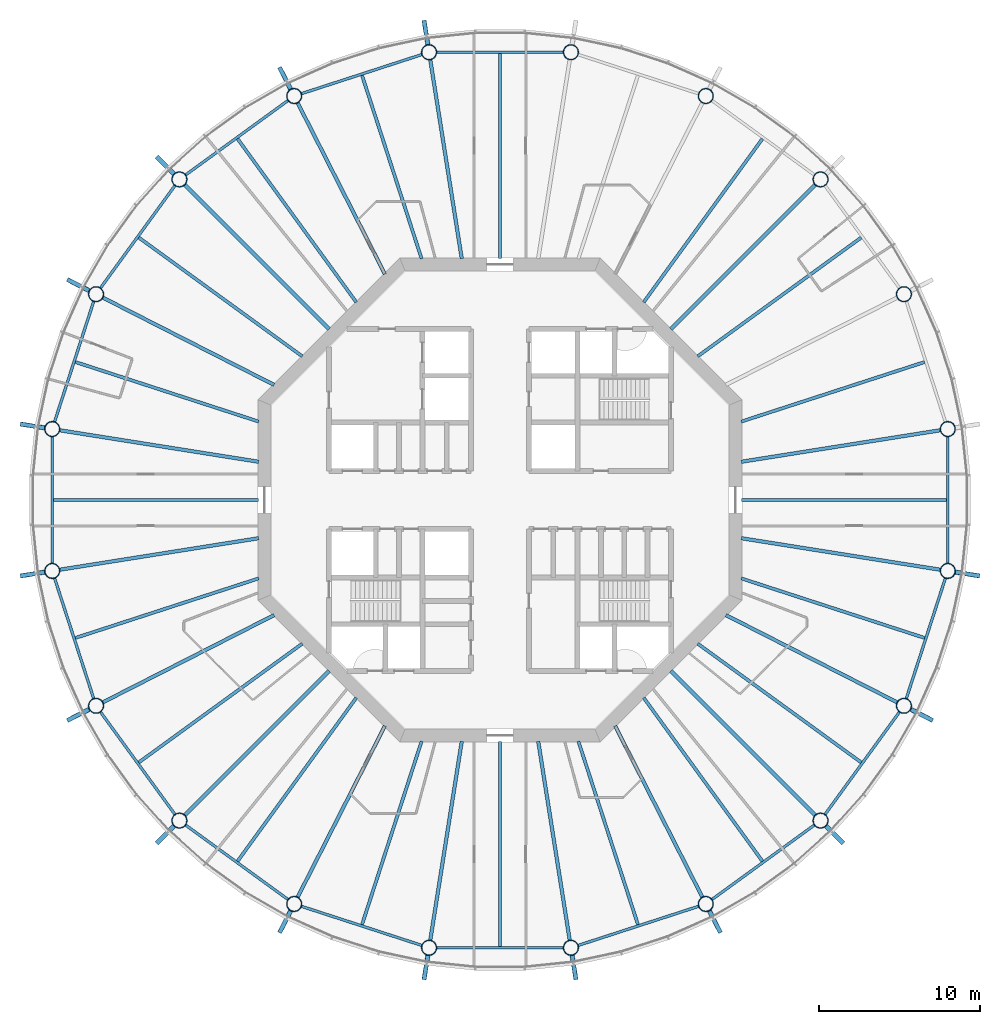
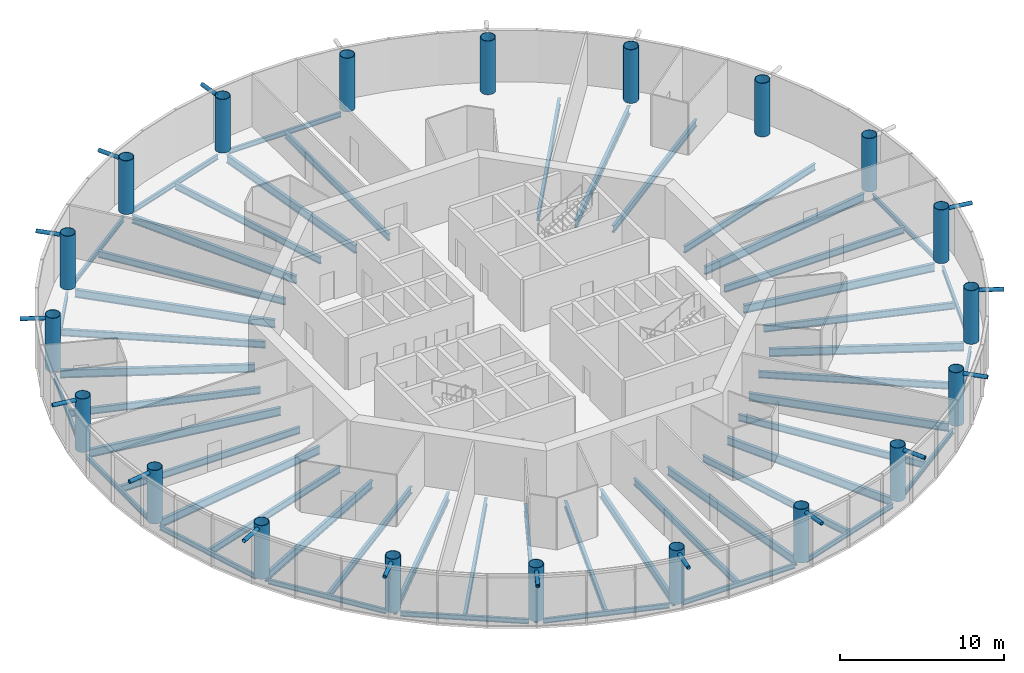
# One storey, part 1 of 13: 52 beams, 20 columns, 15 members.
"""IFC4 building model written with IfcOpenShell, lengths in metres."""

from ifc_helpers import new_model, si_unit, direction, frame, origin, origin_2d, place, context, subcontext, project, spatial, circle, hollow_circle, i_section, extrude, material, material_profile, profile_set, type_object, element, save


model = new_model("IFC4")

# Units and contexts
model_context = context("Model", 3, precision=1e-05, world=origin(), true_north=direction((0.0, 1.0)))
body_context = subcontext(model_context, "Body", "Model", "MODEL_VIEW")
ifc_project = project(units=[si_unit("LENGTHUNIT", "METRE"), si_unit("AREAUNIT", "SQUARE_METRE"), si_unit("VOLUMEUNIT", "CUBIC_METRE"), si_unit("PLANEANGLEUNIT", "RADIAN"), si_unit("MASSUNIT", "GRAM", prefix="KILO")], contexts=[model_context])

# Site, building, storey
site_placement = place(None, origin())
site = spatial("IfcSite", under=ifc_project, at=site_placement, CompositionType="ELEMENT")
building_placement = place(site_placement, origin())
building = spatial("IfcBuilding", under=site, at=building_placement, Name="Entoto Ring Tower", CompositionType="ELEMENT")
storey_placement = place(building_placement, frame((0.0, 0.0, 290.0)))
storey = spatial("IfcBuildingStorey", under=building, at=storey_placement, Name="L66", CompositionType="ELEMENT", Elevation=290.0)

# Columns
ifc_material_1 = material(Name="Steel S355", Category="steel")
ifc_material_profile_1 = material_profile(ifc_material_1, hollow_circle(Radius=0.47509765625, WallThickness=0.034912109375, at=origin_2d()), Name="CHS 950 x 35")
ifc_material_2 = material(Name="Concrete C60/75", Category="concrete")
ifc_material_profile_2 = material_profile(ifc_material_2, circle(Radius=0.43994140625, at=origin_2d()), Name="Concrete C60/75 infill")
ifc_profile_set_1 = profile_set([ifc_material_profile_1, ifc_material_profile_2], Name="Steel S355")
column_type = type_object("IfcColumnType", Name="Ring column 950 x 35 concrete-filled tube", PredefinedType="COLUMN", material=ifc_profile_set_1)
for number, where, z_axis, x_axis, name in (
    (1, (117.754150390625, 84.395751953125, 0.0), (0.0, 0.0, 1.0), (1.0, 0.0, 0.0), "RC5 R01"),
    (2, (115.037353515625, 92.757080078125, 0.0), (0.0, 0.0, 1.0), (1.0, 0.0, 0.0), "RC5 R02"),
    (3, (109.86962890625, 99.86962890625, 0.0), (0.0, 0.0, 1.0), (1.0, 0.0, 0.0), "RC5 R03"),
    (4, (102.757080078125, 105.037353515625, 0.0), (0.0, 0.0, 1.0), (1.0, 0.0, 0.0), "RC5 R04"),
    (5, (94.395751953125, 107.754150390625, 0.0), (0.0, 0.0, 1.0), (1.0, 0.0, 0.0), "RC5 R05"),
    (6, (85.604248046875, 107.754150390625, 0.0), (0.0, 0.0, 1.0), (1.0, 0.0, 0.0), "RC5 R06"),
    (7, (77.242919921875, 105.037353515625, 0.0), (0.0, 0.0, 1.0), (1.0, 0.0, 0.0), "RC5 R07"),
    (8, (70.13037109375, 99.86962890625, 0.0), (0.0, 0.0, 1.0), (1.0, 0.0, 0.0), "RC5 R08"),
    (9, (64.962646484375, 92.757080078125, 0.0), (0.0, 0.0, 1.0), (1.0, 0.0, 0.0), "RC5 R09"),
    (10, (62.245849609375, 84.395751953125, 0.0), (0.0, 0.0, 1.0), (1.0, 0.0, 0.0), "RC5 R10"),
    (11, (62.245849609375, 75.604248046875, 0.0), (0.0, 0.0, 1.0), (1.0, 0.0, 0.0), "RC5 R11"),
    (12, (64.962646484375, 67.242919921875, 0.0), (0.0, 0.0, 1.0), (1.0, 0.0, 0.0), "RC5 R12"),
    (13, (70.13037109375, 60.13037109375, 0.0), (0.0, 0.0, 1.0), (1.0, 0.0, 0.0), "RC5 R13"),
    (14, (77.242919921875, 54.962646484375, 0.0), (0.0, 0.0, 1.0), (1.0, 0.0, 0.0), "RC5 R14"),
    (15, (85.604248046875, 52.245849609375, 0.0), (0.0, 0.0, 1.0), (1.0, 0.0, 0.0), "RC5 R15"),
    (16, (94.395751953125, 52.245849609375, 0.0), (0.0, 0.0, 1.0), (1.0, 0.0, 0.0), "RC5 R16"),
    (17, (102.757080078125, 54.962646484375, 0.0), (0.0, 0.0, 1.0), (1.0, 0.0, 0.0), "RC5 R17"),
    (18, (109.86962890625, 60.13037109375, 0.0), (0.0, 0.0, 1.0), (1.0, 0.0, 0.0), "RC5 R18"),
    (19, (115.037353515625, 67.242919921875, 0.0), (0.0, 0.0, 1.0), (1.0, 0.0, 0.0), "RC5 R19"),
    (20, (117.754150390625, 75.604248046875, 0.0), (0.0, 0.0, 1.0), (1.0, 0.0, 0.0), "RC5 R20"),
):
    element("IfcColumn", number, at=place(storey_placement, frame(where, z_axis=z_axis, x_axis=x_axis)), inside=storey, type_object=column_type, Name=name, PredefinedType="COLUMN", context=body_context, shape_type="SweptSolid", body=[
        extrude(hollow_circle(Radius=0.47509765625, WallThickness=0.034912109375, at=origin_2d()), origin(), (0.0, 0.0, 1.0), 4.0),
    ])

# Members
ifc_material_3 = material(Name="Steel S355", Category="steel")
ifc_material_profile_3 = material_profile(ifc_material_3, hollow_circle(Radius=0.136474609375, WallThickness=0.012451171875, at=origin_2d()), Name="CHS 273 x 12.5")
ifc_material_4 = material(Name="Concrete C60/75", Category="concrete")
ifc_material_profile_4 = material_profile(ifc_material_4, circle(Radius=0.1240234375, at=origin_2d()), Name="Concrete C60/75 infill")
ifc_profile_set_2 = profile_set([ifc_material_profile_3, ifc_material_profile_4], Name="Steel S355")
member_type = type_object("IfcMemberType", Name="Diagrid node strut 273 x 12.5", PredefinedType="STRUT", material=ifc_profile_set_2)
for number, where, z_axis, x_axis, name in (
    (21, (85.5361328125, 108.18359375, 3.71337890625), (-0.156451161263, 0.987685696029, 0.0), (-0.987685696029, -0.156451161263, 0.0), "DS2 strut ring 22 06"),
    (22, (77.04541015625, 105.4248046875, 3.71337890625), (-0.45393980222, 0.891032354048, 0.0), (-0.891032354048, -0.45393980222, 0.0), "DS2 strut ring 22 07"),
    (23, (69.82275390625, 100.17724609375, 3.71337890625), (-0.707106781187, 0.707106781187, 0.0), (-0.707106781187, -0.707106781187, 0.0), "DS2 strut ring 22 08"),
    (24, (64.5751953125, 92.95458984375, 3.71337890625), (-0.891032354048, 0.45393980222, 0.0), (-0.45393980222, -0.891032354048, 0.0), "DS2 strut ring 22 09"),
    (25, (61.81640625, 84.4638671875, 3.71337890625), (-0.987685696029, 0.156451161263, 0.0), (-0.156451161263, -0.987685696029, 0.0), "DS2 strut ring 22 10"),
    (26, (61.81640625, 75.5361328125, 3.71337890625), (-0.987685696029, -0.156451161263, 0.0), (0.156451161263, -0.987685696029, 0.0), "DS2 strut ring 22 11"),
    (27, (64.5751953125, 67.04541015625, 3.71337890625), (-0.891032354048, -0.45393980222, 0.0), (0.45393980222, -0.891032354048, 0.0), "DS2 strut ring 22 12"),
    (28, (69.82275390625, 59.82275390625, 3.71337890625), (-0.707106781187, -0.707106781187, 0.0), (0.707106781187, -0.707106781187, 0.0), "DS2 strut ring 22 13"),
    (29, (77.04541015625, 54.5751953125, 3.71337890625), (-0.45393980222, -0.891032354048, 0.0), (0.891032354048, -0.45393980222, 0.0), "DS2 strut ring 22 14"),
    (30, (85.5361328125, 51.81640625, 3.71337890625), (-0.156451161263, -0.987685696029, 0.0), (0.987685696029, -0.156451161263, 0.0), "DS2 strut ring 22 15"),
    (31, (94.4638671875, 51.81640625, 3.71337890625), (0.156451161263, -0.987685696029, 0.0), (0.987685696029, 0.156451161263, 0.0), "DS2 strut ring 22 16"),
    (32, (102.95458984375, 54.5751953125, 3.71337890625), (0.45393980222, -0.891032354048, 0.0), (0.891032354048, 0.45393980222, 0.0), "DS2 strut ring 22 17"),
    (33, (110.17724609375, 59.82275390625, 3.71337890625), (0.707106781187, -0.707106781187, 0.0), (0.707106781187, 0.707106781187, 0.0), "DS2 strut ring 22 18"),
    (34, (115.4248046875, 67.04541015625, 3.71337890625), (0.891032354048, -0.45393980222, 0.0), (0.45393980222, 0.891032354048, 0.0), "DS2 strut ring 22 19"),
    (35, (118.18359375, 75.5361328125, 3.71337890625), (0.987685696029, -0.156451161263, 0.0), (0.156451161263, 0.987685696029, 0.0), "DS2 strut ring 22 20"),
):
    element("IfcMember", number, at=place(storey_placement, frame(where, z_axis=z_axis, x_axis=x_axis)), inside=storey, type_object=member_type, Name=name, PredefinedType="STRUT", context=body_context, shape_type="SweptSolid", body=[
        extrude(hollow_circle(Radius=0.136474609375, WallThickness=0.012451171875, at=origin_2d()), origin(), (0.0, 0.0, 1.0), 1.565185546875),
    ])

# Beams
ifc_material_5 = material(Name="Steel S355", Category="steel")
ifc_material_profile_5 = material_profile(ifc_material_5, i_section(OverallWidth=0.169921875, OverallDepth=0.360107421875, WebThickness=0.008056640625, FlangeThickness=0.0126953125, FilletRadius=0.01806640625, at=origin_2d()), Name="IPE 360")
ifc_profile_set_3 = profile_set([ifc_material_profile_5], Name="Steel S355")
beam_type_1 = type_object("IfcBeamType", Name="Edge beam IPE 360", PredefinedType="SPANDREL", material=ifc_profile_set_3)
for number, where, z_axis, x_axis, name in (
    (36, (93.948486328125, 107.754150390625, -0.330078125), (-1.0, 0.0, 0.0), (0.0, -1.0, 0.0), "Edge beam L66 05"),
    (37, (85.1787109375, 107.61572265625, -0.330078125), (-0.951061101079, -0.309002883506, 0.0), (0.309002883506, -0.951061101079, 0.0), "Edge beam L66 06"),
):
    element("IfcBeam", number, at=place(storey_placement, frame(where, z_axis=z_axis, x_axis=x_axis)), inside=storey, type_object=beam_type_1, Name=name, PredefinedType="SPANDREL", context=body_context, shape_type="SweptSolid", body=[
        extrude(i_section(OverallWidth=0.169921875, OverallDepth=0.360107421875, WebThickness=0.008056640625, FlangeThickness=0.0126953125, FilletRadius=0.01806640625, at=origin_2d()), origin(), (0.0, 0.0, 1.0), 7.89697265625),
    ])
for number, where, z_axis, x_axis, name in (
    (38, (76.881103515625, 104.7744140625, -0.330078125), (-0.809015398073, -0.587787449408, 0.0), (0.587787449408, -0.809015398073, 0.0), "Edge beam L66 07"),
    (39, (69.867431640625, 99.5078125, -0.330078125), (-0.587787449408, -0.809015398073, 0.0), (0.809015398073, -0.587787449408, 0.0), "Edge beam L66 08"),
):
    element("IfcBeam", number, at=place(storey_placement, frame(where, z_axis=z_axis, x_axis=x_axis)), inside=storey, type_object=beam_type_1, Name=name, PredefinedType="SPANDREL", context=body_context, shape_type="SweptSolid", body=[
        extrude(i_section(OverallWidth=0.169921875, OverallDepth=0.360107421875, WebThickness=0.008056640625, FlangeThickness=0.0126953125, FilletRadius=0.01806640625, at=origin_2d()), origin(), (0.0, 0.0, 1.0), 7.897216796875),
    ])
for number, where, z_axis, x_axis, name in (
    (40, (64.824462890625, 92.331787109375, -0.330078125), (-0.309002883506, -0.951061101079, 0.0), (0.951061101079, -0.309002883506, 0.0), "Edge beam L66 09"),
    (41, (62.245849609375, 83.948486328125, -0.330078125), (0.0, -1.0, 0.0), (1.0, 0.0, 0.0), "Edge beam L66 10"),
    (42, (62.38427734375, 75.1787109375, -0.330078125), (0.309002883506, -0.951061101079, 0.0), (0.951061101079, 0.309002883506, 0.0), "Edge beam L66 11"),
):
    element("IfcBeam", number, at=place(storey_placement, frame(where, z_axis=z_axis, x_axis=x_axis)), inside=storey, type_object=beam_type_1, Name=name, PredefinedType="SPANDREL", context=body_context, shape_type="SweptSolid", body=[
        extrude(i_section(OverallWidth=0.169921875, OverallDepth=0.360107421875, WebThickness=0.008056640625, FlangeThickness=0.0126953125, FilletRadius=0.01806640625, at=origin_2d()), origin(), (0.0, 0.0, 1.0), 7.89697265625),
    ])
for number, where, z_axis, x_axis, name in (
    (43, (65.2255859375, 66.881103515625, -0.330078125), (0.587787449408, -0.809015398073, 0.0), (0.809015398073, 0.587787449408, 0.0), "Edge beam L66 12"),
    (44, (70.4921875, 59.867431640625, -0.330078125), (0.809015398073, -0.587787449408, 0.0), (0.587787449408, 0.809015398073, 0.0), "Edge beam L66 13"),
):
    element("IfcBeam", number, at=place(storey_placement, frame(where, z_axis=z_axis, x_axis=x_axis)), inside=storey, type_object=beam_type_1, Name=name, PredefinedType="SPANDREL", context=body_context, shape_type="SweptSolid", body=[
        extrude(i_section(OverallWidth=0.169921875, OverallDepth=0.360107421875, WebThickness=0.008056640625, FlangeThickness=0.0126953125, FilletRadius=0.01806640625, at=origin_2d()), origin(), (0.0, 0.0, 1.0), 7.897216796875),
    ])
for number, where, z_axis, x_axis, name in (
    (45, (77.668212890625, 54.824462890625, -0.330078125), (0.951061101079, -0.309002883506, 0.0), (0.309002883506, 0.951061101079, 0.0), "Edge beam L66 14"),
    (46, (86.051513671875, 52.245849609375, -0.330078125), (1.0, 0.0, 0.0), (0.0, 1.0, 0.0), "Edge beam L66 15"),
    (47, (94.8212890625, 52.38427734375, -0.330078125), (0.951061101079, 0.309002883506, 0.0), (-0.309002883506, 0.951061101079, 0.0), "Edge beam L66 16"),
):
    element("IfcBeam", number, at=place(storey_placement, frame(where, z_axis=z_axis, x_axis=x_axis)), inside=storey, type_object=beam_type_1, Name=name, PredefinedType="SPANDREL", context=body_context, shape_type="SweptSolid", body=[
        extrude(i_section(OverallWidth=0.169921875, OverallDepth=0.360107421875, WebThickness=0.008056640625, FlangeThickness=0.0126953125, FilletRadius=0.01806640625, at=origin_2d()), origin(), (0.0, 0.0, 1.0), 7.89697265625),
    ])
for number, where, z_axis, x_axis, name in (
    (48, (103.118896484375, 55.2255859375, -0.330078125), (0.809015398073, 0.587787449408, 0.0), (-0.587787449408, 0.809015398073, 0.0), "Edge beam L66 17"),
    (49, (110.132568359375, 60.4921875, -0.330078125), (0.587787449408, 0.809015398073, 0.0), (-0.809015398073, 0.587787449408, 0.0), "Edge beam L66 18"),
):
    element("IfcBeam", number, at=place(storey_placement, frame(where, z_axis=z_axis, x_axis=x_axis)), inside=storey, type_object=beam_type_1, Name=name, PredefinedType="SPANDREL", context=body_context, shape_type="SweptSolid", body=[
        extrude(i_section(OverallWidth=0.169921875, OverallDepth=0.360107421875, WebThickness=0.008056640625, FlangeThickness=0.0126953125, FilletRadius=0.01806640625, at=origin_2d()), origin(), (0.0, 0.0, 1.0), 7.897216796875),
    ])
for number, where, z_axis, x_axis, name in (
    (50, (115.175537109375, 67.668212890625, -0.330078125), (0.309002883506, 0.951061101079, 0.0), (-0.951061101079, 0.309002883506, 0.0), "Edge beam L66 19"),
    (51, (117.754150390625, 76.051513671875, -0.330078125), (0.0, 1.0, 0.0), (-1.0, 0.0, 0.0), "Edge beam L66 20"),
):
    element("IfcBeam", number, at=place(storey_placement, frame(where, z_axis=z_axis, x_axis=x_axis)), inside=storey, type_object=beam_type_1, Name=name, PredefinedType="SPANDREL", context=body_context, shape_type="SweptSolid", body=[
        extrude(i_section(OverallWidth=0.169921875, OverallDepth=0.360107421875, WebThickness=0.008056640625, FlangeThickness=0.0126953125, FilletRadius=0.01806640625, at=origin_2d()), origin(), (0.0, 0.0, 1.0), 7.89697265625),
    ])
ifc_material_6 = material(Name="Steel S355", Category="steel")
ifc_material_profile_6 = material_profile(ifc_material_6, i_section(OverallWidth=0.219970703125, OverallDepth=0.60009765625, WebThickness=0.011962890625, FlangeThickness=0.01904296875, FilletRadius=0.02392578125, at=origin_2d()), Name="IPE 600")
ifc_profile_set_4 = profile_set([ifc_material_profile_6], Name="Steel S355")
beam_type_2 = type_object("IfcBeamType", Name="Primary floor beam IPE 600", PredefinedType="BEAM", material=ifc_profile_set_4)
beam_1_placement = place(storey_placement, frame((104.963134765625, 82.369873046875, -0.449951171875), z_axis=(0.987687519796, 0.156439647277, 0.0), x_axis=(-0.156439647277, 0.987687519796, 0.0)))
element("IfcBeam", 52, at=beam_1_placement, inside=storey, type_object=beam_type_2, Name="Primary L66 R01", PredefinedType="BEAM", context=body_context, shape_type="SweptSolid", body=[
    extrude(i_section(OverallWidth=0.219970703125, OverallDepth=0.60009765625, WebThickness=0.011962890625, FlangeThickness=0.01904296875, FilletRadius=0.02392578125, at=origin_2d()), origin(), (0.0, 0.0, 1.0), 12.50830078125),
])
beam_2_placement = place(storey_placement, frame((100.592529296875, 90.592529296875, -0.449951171875), z_axis=(0.707106781187, 0.707106781187, 0.0), x_axis=(-0.707106781187, 0.707106781187, 0.0)))
element("IfcBeam", 53, at=beam_2_placement, inside=storey, type_object=beam_type_2, Name="Primary L66 R03", PredefinedType="BEAM", context=body_context, shape_type="SweptSolid", body=[
    extrude(i_section(OverallWidth=0.219970703125, OverallDepth=0.60009765625, WebThickness=0.011962890625, FlangeThickness=0.01904296875, FilletRadius=0.02392578125, at=origin_2d()), origin(), (0.0, 0.0, 1.0), 12.677978515625),
])
beam_3_placement = place(storey_placement, frame((87.630126953125, 94.963134765625, -0.449951171875), z_axis=(-0.156439647277, 0.987687519796, 0.0), x_axis=(-0.987687519796, -0.156439647277, 0.0)))
element("IfcBeam", 54, at=beam_3_placement, inside=storey, type_object=beam_type_2, Name="Primary L66 R06", PredefinedType="BEAM", context=body_context, shape_type="SweptSolid", body=[
    extrude(i_section(OverallWidth=0.219970703125, OverallDepth=0.60009765625, WebThickness=0.011962890625, FlangeThickness=0.01904296875, FilletRadius=0.02392578125, at=origin_2d()), origin(), (0.0, 0.0, 1.0), 12.50830078125),
])
beam_4_placement = place(storey_placement, frame((82.864990234375, 94.003173828125, -0.449951171875), z_axis=(-0.453988257638, 0.891007666593, 0.0), x_axis=(-0.891007666593, -0.453988257638, 0.0)))
element("IfcBeam", 55, at=beam_4_placement, inside=storey, type_object=beam_type_2, Name="Primary L66 R07", PredefinedType="BEAM", context=body_context, shape_type="SweptSolid", body=[
    extrude(i_section(OverallWidth=0.219970703125, OverallDepth=0.60009765625, WebThickness=0.011962890625, FlangeThickness=0.01904296875, FilletRadius=0.02392578125, at=origin_2d()), origin(), (0.0, 0.0, 1.0), 11.941650390625),
])
beam_5_placement = place(storey_placement, frame((79.407470703125, 90.592529296875, -0.449951171875), z_axis=(-0.707106781187, 0.707106781187, 0.0), x_axis=(-0.707106781187, -0.707106781187, 0.0)))
element("IfcBeam", 56, at=beam_5_placement, inside=storey, type_object=beam_type_2, Name="Primary L66 R08", PredefinedType="BEAM", context=body_context, shape_type="SweptSolid", body=[
    extrude(i_section(OverallWidth=0.219970703125, OverallDepth=0.60009765625, WebThickness=0.011962890625, FlangeThickness=0.01904296875, FilletRadius=0.02392578125, at=origin_2d()), origin(), (0.0, 0.0, 1.0), 12.677978515625),
])
beam_6_placement = place(storey_placement, frame((75.996826171875, 87.135009765625, -0.449951171875), z_axis=(-0.891007666593, 0.453988257638, 0.0), x_axis=(-0.453988257638, -0.891007666593, 0.0)))
element("IfcBeam", 57, at=beam_6_placement, inside=storey, type_object=beam_type_2, Name="Primary L66 R09", PredefinedType="BEAM", context=body_context, shape_type="SweptSolid", body=[
    extrude(i_section(OverallWidth=0.219970703125, OverallDepth=0.60009765625, WebThickness=0.011962890625, FlangeThickness=0.01904296875, FilletRadius=0.02392578125, at=origin_2d()), origin(), (0.0, 0.0, 1.0), 11.941650390625),
])
for number, where, z_axis, x_axis, name in (
    (58, (75.036865234375, 82.369873046875, -0.449951171875), (-0.987687519796, 0.156439647277, 0.0), (-0.156439647277, -0.987687519796, 0.0), "Primary L66 R10"),
    (59, (75.036865234375, 77.630126953125, -0.449951171875), (-0.987687519796, -0.156439647277, 0.0), (0.156439647277, -0.987687519796, 0.0), "Primary L66 R11"),
):
    element("IfcBeam", number, at=place(storey_placement, frame(where, z_axis=z_axis, x_axis=x_axis)), inside=storey, type_object=beam_type_2, Name=name, PredefinedType="BEAM", context=body_context, shape_type="SweptSolid", body=[
        extrude(i_section(OverallWidth=0.219970703125, OverallDepth=0.60009765625, WebThickness=0.011962890625, FlangeThickness=0.01904296875, FilletRadius=0.02392578125, at=origin_2d()), origin(), (0.0, 0.0, 1.0), 12.50830078125),
    ])
beam_7_placement = place(storey_placement, frame((75.996826171875, 72.864990234375, -0.449951171875), z_axis=(-0.891007666593, -0.453988257638, 0.0), x_axis=(0.453988257638, -0.891007666593, 0.0)))
element("IfcBeam", 60, at=beam_7_placement, inside=storey, type_object=beam_type_2, Name="Primary L66 R12", PredefinedType="BEAM", context=body_context, shape_type="SweptSolid", body=[
    extrude(i_section(OverallWidth=0.219970703125, OverallDepth=0.60009765625, WebThickness=0.011962890625, FlangeThickness=0.01904296875, FilletRadius=0.02392578125, at=origin_2d()), origin(), (0.0, 0.0, 1.0), 11.941650390625),
])
beam_8_placement = place(storey_placement, frame((79.407470703125, 69.407470703125, -0.449951171875), z_axis=(-0.707106781187, -0.707106781187, 0.0), x_axis=(0.707106781187, -0.707106781187, 0.0)))
element("IfcBeam", 61, at=beam_8_placement, inside=storey, type_object=beam_type_2, Name="Primary L66 R13", PredefinedType="BEAM", context=body_context, shape_type="SweptSolid", body=[
    extrude(i_section(OverallWidth=0.219970703125, OverallDepth=0.60009765625, WebThickness=0.011962890625, FlangeThickness=0.01904296875, FilletRadius=0.02392578125, at=origin_2d()), origin(), (0.0, 0.0, 1.0), 12.677978515625),
])
beam_9_placement = place(storey_placement, frame((82.864990234375, 65.996826171875, -0.449951171875), z_axis=(-0.453988257638, -0.891007666593, 0.0), x_axis=(0.891007666593, -0.453988257638, 0.0)))
element("IfcBeam", 62, at=beam_9_placement, inside=storey, type_object=beam_type_2, Name="Primary L66 R14", PredefinedType="BEAM", context=body_context, shape_type="SweptSolid", body=[
    extrude(i_section(OverallWidth=0.219970703125, OverallDepth=0.60009765625, WebThickness=0.011962890625, FlangeThickness=0.01904296875, FilletRadius=0.02392578125, at=origin_2d()), origin(), (0.0, 0.0, 1.0), 11.941650390625),
])
for number, where, z_axis, x_axis, name in (
    (63, (87.630126953125, 65.036865234375, -0.449951171875), (-0.156439647277, -0.987687519796, 0.0), (0.987687519796, -0.156439647277, 0.0), "Primary L66 R15"),
    (64, (92.369873046875, 65.036865234375, -0.449951171875), (0.156439647277, -0.987687519796, 0.0), (0.987687519796, 0.156439647277, 0.0), "Primary L66 R16"),
):
    element("IfcBeam", number, at=place(storey_placement, frame(where, z_axis=z_axis, x_axis=x_axis)), inside=storey, type_object=beam_type_2, Name=name, PredefinedType="BEAM", context=body_context, shape_type="SweptSolid", body=[
        extrude(i_section(OverallWidth=0.219970703125, OverallDepth=0.60009765625, WebThickness=0.011962890625, FlangeThickness=0.01904296875, FilletRadius=0.02392578125, at=origin_2d()), origin(), (0.0, 0.0, 1.0), 12.50830078125),
    ])
beam_10_placement = place(storey_placement, frame((97.135009765625, 65.996826171875, -0.449951171875), z_axis=(0.453988257638, -0.891007666593, 0.0), x_axis=(0.891007666593, 0.453988257638, 0.0)))
element("IfcBeam", 65, at=beam_10_placement, inside=storey, type_object=beam_type_2, Name="Primary L66 R17", PredefinedType="BEAM", context=body_context, shape_type="SweptSolid", body=[
    extrude(i_section(OverallWidth=0.219970703125, OverallDepth=0.60009765625, WebThickness=0.011962890625, FlangeThickness=0.01904296875, FilletRadius=0.02392578125, at=origin_2d()), origin(), (0.0, 0.0, 1.0), 11.941650390625),
])
beam_11_placement = place(storey_placement, frame((100.592529296875, 69.407470703125, -0.449951171875), z_axis=(0.707106781187, -0.707106781187, 0.0), x_axis=(0.707106781187, 0.707106781187, 0.0)))
element("IfcBeam", 66, at=beam_11_placement, inside=storey, type_object=beam_type_2, Name="Primary L66 R18", PredefinedType="BEAM", context=body_context, shape_type="SweptSolid", body=[
    extrude(i_section(OverallWidth=0.219970703125, OverallDepth=0.60009765625, WebThickness=0.011962890625, FlangeThickness=0.01904296875, FilletRadius=0.02392578125, at=origin_2d()), origin(), (0.0, 0.0, 1.0), 12.677978515625),
])
beam_12_placement = place(storey_placement, frame((104.003173828125, 72.864990234375, -0.449951171875), z_axis=(0.891007666593, -0.453988257638, 0.0), x_axis=(0.453988257638, 0.891007666593, 0.0)))
element("IfcBeam", 67, at=beam_12_placement, inside=storey, type_object=beam_type_2, Name="Primary L66 R19", PredefinedType="BEAM", context=body_context, shape_type="SweptSolid", body=[
    extrude(i_section(OverallWidth=0.219970703125, OverallDepth=0.60009765625, WebThickness=0.011962890625, FlangeThickness=0.01904296875, FilletRadius=0.02392578125, at=origin_2d()), origin(), (0.0, 0.0, 1.0), 11.941650390625),
])
beam_13_placement = place(storey_placement, frame((104.963134765625, 77.630126953125, -0.449951171875), z_axis=(0.987687519796, -0.156439647277, 0.0), x_axis=(0.156439647277, 0.987687519796, 0.0)))
element("IfcBeam", 68, at=beam_13_placement, inside=storey, type_object=beam_type_2, Name="Primary L66 R20", PredefinedType="BEAM", context=body_context, shape_type="SweptSolid", body=[
    extrude(i_section(OverallWidth=0.219970703125, OverallDepth=0.60009765625, WebThickness=0.011962890625, FlangeThickness=0.01904296875, FilletRadius=0.02392578125, at=origin_2d()), origin(), (0.0, 0.0, 1.0), 12.50830078125),
])
ifc_material_7 = material(Name="Steel S355", Category="steel")
ifc_material_profile_7 = material_profile(ifc_material_7, i_section(OverallWidth=0.199951171875, OverallDepth=0.5, WebThickness=0.01025390625, FlangeThickness=0.01611328125, FilletRadius=0.02099609375, at=origin_2d()), Name="IPE 500")
ifc_profile_set_5 = profile_set([ifc_material_profile_7], Name="Steel S355")
beam_type_3 = type_object("IfcBeamType", Name="Secondary floor beam IPE 500", PredefinedType="JOIST", material=ifc_profile_set_5)
beam_14_placement = place(storey_placement, frame((104.9501953125, 84.857666015625, -0.39990234375), z_axis=(0.951056587506, 0.30901677521, 0.0), x_axis=(-0.30901677521, 0.951056587506, 0.0)))
element("IfcBeam", 69, at=beam_14_placement, inside=storey, type_object=beam_type_3, Name="Secondary beam L66 01", PredefinedType="JOIST", context=body_context, shape_type="SweptSolid", body=[
    extrude(i_section(OverallWidth=0.199951171875, OverallDepth=0.5, WebThickness=0.01025390625, FlangeThickness=0.01611328125, FilletRadius=0.02099609375, at=origin_2d()), origin(), (0.0, 0.0, 1.0), 11.94970703125),
])
for number, where, z_axis, x_axis, name in (
    (70, (102.257568359375, 88.905517578125, -0.39990234375), (0.80901431041, 0.587788946436, 0.0), (-0.587788946436, 0.80901431041, 0.0), "Secondary beam L66 02"),
    (71, (98.905517578125, 92.257568359375, -0.39990234375), (0.587788946436, 0.80901431041, 0.0), (-0.80901431041, 0.587788946436, 0.0), "Secondary beam L66 03"),
):
    element("IfcBeam", number, at=place(storey_placement, frame(where, z_axis=z_axis, x_axis=x_axis)), inside=storey, type_object=beam_type_3, Name=name, PredefinedType="JOIST", context=body_context, shape_type="SweptSolid", body=[
        extrude(i_section(OverallWidth=0.199951171875, OverallDepth=0.5, WebThickness=0.01025390625, FlangeThickness=0.01611328125, FilletRadius=0.02099609375, at=origin_2d()), origin(), (0.0, 0.0, 1.0), 12.51806640625),
    ])
beam_15_placement = place(storey_placement, frame((90.0, 94.97998046875, -0.39990234375), z_axis=(0.0, 1.0, 0.0), x_axis=(-1.0, 0.0, 0.0)))
element("IfcBeam", 72, at=beam_15_placement, inside=storey, type_object=beam_type_3, Name="Secondary beam L66 05", PredefinedType="JOIST", context=body_context, shape_type="SweptSolid", body=[
    extrude(i_section(OverallWidth=0.199951171875, OverallDepth=0.5, WebThickness=0.01025390625, FlangeThickness=0.01611328125, FilletRadius=0.02099609375, at=origin_2d()), origin(), (0.0, 0.0, 1.0), 12.68896484375),
])
beam_16_placement = place(storey_placement, frame((85.142333984375, 94.9501953125, -0.39990234375), z_axis=(-0.30901677521, 0.951056587506, 0.0), x_axis=(-0.951056587506, -0.30901677521, 0.0)))
element("IfcBeam", 73, at=beam_16_placement, inside=storey, type_object=beam_type_3, Name="Secondary beam L66 06", PredefinedType="JOIST", context=body_context, shape_type="SweptSolid", body=[
    extrude(i_section(OverallWidth=0.199951171875, OverallDepth=0.5, WebThickness=0.01025390625, FlangeThickness=0.01611328125, FilletRadius=0.02099609375, at=origin_2d()), origin(), (0.0, 0.0, 1.0), 11.94970703125),
])
for number, where, z_axis, x_axis, name in (
    (74, (81.094482421875, 92.257568359375, -0.39990234375), (-0.587788946436, 0.80901431041, 0.0), (-0.80901431041, -0.587788946436, 0.0), "Secondary beam L66 07"),
    (75, (77.742431640625, 88.905517578125, -0.39990234375), (-0.80901431041, 0.587788946436, 0.0), (-0.587788946436, -0.80901431041, 0.0), "Secondary beam L66 08"),
):
    element("IfcBeam", number, at=place(storey_placement, frame(where, z_axis=z_axis, x_axis=x_axis)), inside=storey, type_object=beam_type_3, Name=name, PredefinedType="JOIST", context=body_context, shape_type="SweptSolid", body=[
        extrude(i_section(OverallWidth=0.199951171875, OverallDepth=0.5, WebThickness=0.01025390625, FlangeThickness=0.01611328125, FilletRadius=0.02099609375, at=origin_2d()), origin(), (0.0, 0.0, 1.0), 12.51806640625),
    ])
beam_17_placement = place(storey_placement, frame((75.0498046875, 84.857666015625, -0.39990234375), z_axis=(-0.951056587506, 0.30901677521, 0.0), x_axis=(-0.30901677521, -0.951056587506, 0.0)))
element("IfcBeam", 76, at=beam_17_placement, inside=storey, type_object=beam_type_3, Name="Secondary beam L66 09", PredefinedType="JOIST", context=body_context, shape_type="SweptSolid", body=[
    extrude(i_section(OverallWidth=0.199951171875, OverallDepth=0.5, WebThickness=0.01025390625, FlangeThickness=0.01611328125, FilletRadius=0.02099609375, at=origin_2d()), origin(), (0.0, 0.0, 1.0), 11.94970703125),
])
beam_18_placement = place(storey_placement, frame((75.02001953125, 80.0, -0.39990234375), z_axis=(-1.0, 0.0, 0.0), x_axis=(0.0, -1.0, 0.0)))
element("IfcBeam", 77, at=beam_18_placement, inside=storey, type_object=beam_type_3, Name="Secondary beam L66 10", PredefinedType="JOIST", context=body_context, shape_type="SweptSolid", body=[
    extrude(i_section(OverallWidth=0.199951171875, OverallDepth=0.5, WebThickness=0.01025390625, FlangeThickness=0.01611328125, FilletRadius=0.02099609375, at=origin_2d()), origin(), (0.0, 0.0, 1.0), 12.68896484375),
])
beam_19_placement = place(storey_placement, frame((75.0498046875, 75.142333984375, -0.39990234375), z_axis=(-0.951056587506, -0.30901677521, 0.0), x_axis=(0.30901677521, -0.951056587506, 0.0)))
element("IfcBeam", 78, at=beam_19_placement, inside=storey, type_object=beam_type_3, Name="Secondary beam L66 11", PredefinedType="JOIST", context=body_context, shape_type="SweptSolid", body=[
    extrude(i_section(OverallWidth=0.199951171875, OverallDepth=0.5, WebThickness=0.01025390625, FlangeThickness=0.01611328125, FilletRadius=0.02099609375, at=origin_2d()), origin(), (0.0, 0.0, 1.0), 11.94970703125),
])
for number, where, z_axis, x_axis, name in (
    (79, (77.742431640625, 71.094482421875, -0.39990234375), (-0.80901431041, -0.587788946436, 0.0), (0.587788946436, -0.80901431041, 0.0), "Secondary beam L66 12"),
    (80, (81.094482421875, 67.742431640625, -0.39990234375), (-0.587788946436, -0.80901431041, 0.0), (0.80901431041, -0.587788946436, 0.0), "Secondary beam L66 13"),
):
    element("IfcBeam", number, at=place(storey_placement, frame(where, z_axis=z_axis, x_axis=x_axis)), inside=storey, type_object=beam_type_3, Name=name, PredefinedType="JOIST", context=body_context, shape_type="SweptSolid", body=[
        extrude(i_section(OverallWidth=0.199951171875, OverallDepth=0.5, WebThickness=0.01025390625, FlangeThickness=0.01611328125, FilletRadius=0.02099609375, at=origin_2d()), origin(), (0.0, 0.0, 1.0), 12.51806640625),
    ])
beam_20_placement = place(storey_placement, frame((85.142333984375, 65.0498046875, -0.39990234375), z_axis=(-0.30901677521, -0.951056587506, 0.0), x_axis=(0.951056587506, -0.30901677521, 0.0)))
element("IfcBeam", 81, at=beam_20_placement, inside=storey, type_object=beam_type_3, Name="Secondary beam L66 14", PredefinedType="JOIST", context=body_context, shape_type="SweptSolid", body=[
    extrude(i_section(OverallWidth=0.199951171875, OverallDepth=0.5, WebThickness=0.01025390625, FlangeThickness=0.01611328125, FilletRadius=0.02099609375, at=origin_2d()), origin(), (0.0, 0.0, 1.0), 11.94970703125),
])
beam_21_placement = place(storey_placement, frame((90.0, 65.02001953125, -0.39990234375), z_axis=(0.0, -1.0, 0.0), x_axis=(1.0, 0.0, 0.0)))
element("IfcBeam", 82, at=beam_21_placement, inside=storey, type_object=beam_type_3, Name="Secondary beam L66 15", PredefinedType="JOIST", context=body_context, shape_type="SweptSolid", body=[
    extrude(i_section(OverallWidth=0.199951171875, OverallDepth=0.5, WebThickness=0.01025390625, FlangeThickness=0.01611328125, FilletRadius=0.02099609375, at=origin_2d()), origin(), (0.0, 0.0, 1.0), 12.68896484375),
])
beam_22_placement = place(storey_placement, frame((94.857666015625, 65.0498046875, -0.39990234375), z_axis=(0.30901677521, -0.951056587506, 0.0), x_axis=(0.951056587506, 0.30901677521, 0.0)))
element("IfcBeam", 83, at=beam_22_placement, inside=storey, type_object=beam_type_3, Name="Secondary beam L66 16", PredefinedType="JOIST", context=body_context, shape_type="SweptSolid", body=[
    extrude(i_section(OverallWidth=0.199951171875, OverallDepth=0.5, WebThickness=0.01025390625, FlangeThickness=0.01611328125, FilletRadius=0.02099609375, at=origin_2d()), origin(), (0.0, 0.0, 1.0), 11.94970703125),
])
for number, where, z_axis, x_axis, name in (
    (84, (98.905517578125, 67.742431640625, -0.39990234375), (0.587788946436, -0.80901431041, 0.0), (0.80901431041, 0.587788946436, 0.0), "Secondary beam L66 17"),
    (85, (102.257568359375, 71.094482421875, -0.39990234375), (0.80901431041, -0.587788946436, 0.0), (0.587788946436, 0.80901431041, 0.0), "Secondary beam L66 18"),
):
    element("IfcBeam", number, at=place(storey_placement, frame(where, z_axis=z_axis, x_axis=x_axis)), inside=storey, type_object=beam_type_3, Name=name, PredefinedType="JOIST", context=body_context, shape_type="SweptSolid", body=[
        extrude(i_section(OverallWidth=0.199951171875, OverallDepth=0.5, WebThickness=0.01025390625, FlangeThickness=0.01611328125, FilletRadius=0.02099609375, at=origin_2d()), origin(), (0.0, 0.0, 1.0), 12.51806640625),
    ])
beam_23_placement = place(storey_placement, frame((104.9501953125, 75.142333984375, -0.39990234375), z_axis=(0.951056587506, -0.30901677521, 0.0), x_axis=(0.30901677521, 0.951056587506, 0.0)))
element("IfcBeam", 86, at=beam_23_placement, inside=storey, type_object=beam_type_3, Name="Secondary beam L66 19", PredefinedType="JOIST", context=body_context, shape_type="SweptSolid", body=[
    extrude(i_section(OverallWidth=0.199951171875, OverallDepth=0.5, WebThickness=0.01025390625, FlangeThickness=0.01611328125, FilletRadius=0.02099609375, at=origin_2d()), origin(), (0.0, 0.0, 1.0), 11.94970703125),
])
beam_24_placement = place(storey_placement, frame((104.97998046875, 80.0, -0.39990234375), z_axis=(1.0, 0.0, 0.0), x_axis=(0.0, 1.0, 0.0)))
element("IfcBeam", 87, at=beam_24_placement, inside=storey, type_object=beam_type_3, Name="Secondary beam L66 20", PredefinedType="JOIST", context=body_context, shape_type="SweptSolid", body=[
    extrude(i_section(OverallWidth=0.199951171875, OverallDepth=0.5, WebThickness=0.01025390625, FlangeThickness=0.01611328125, FilletRadius=0.02099609375, at=origin_2d()), origin(), (0.0, 0.0, 1.0), 12.68896484375),
])

save(model, "model.ifc")
